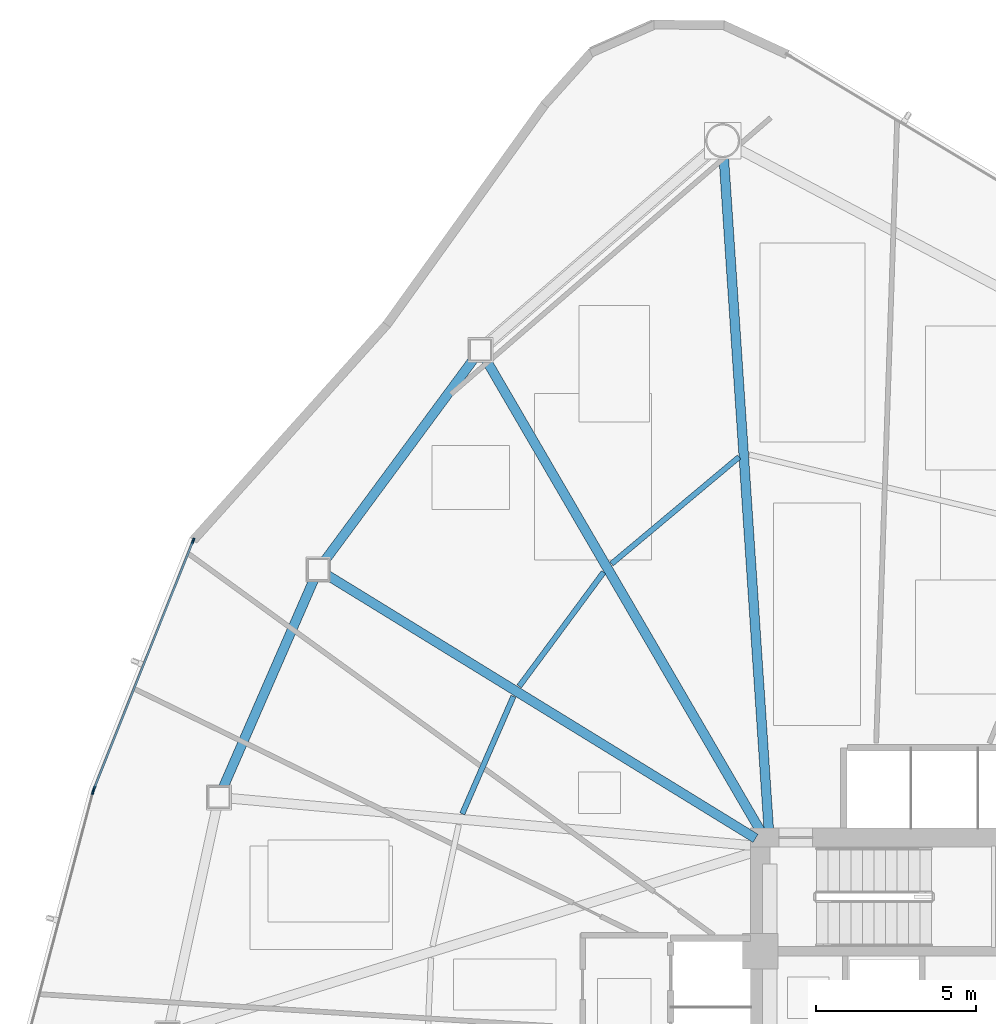
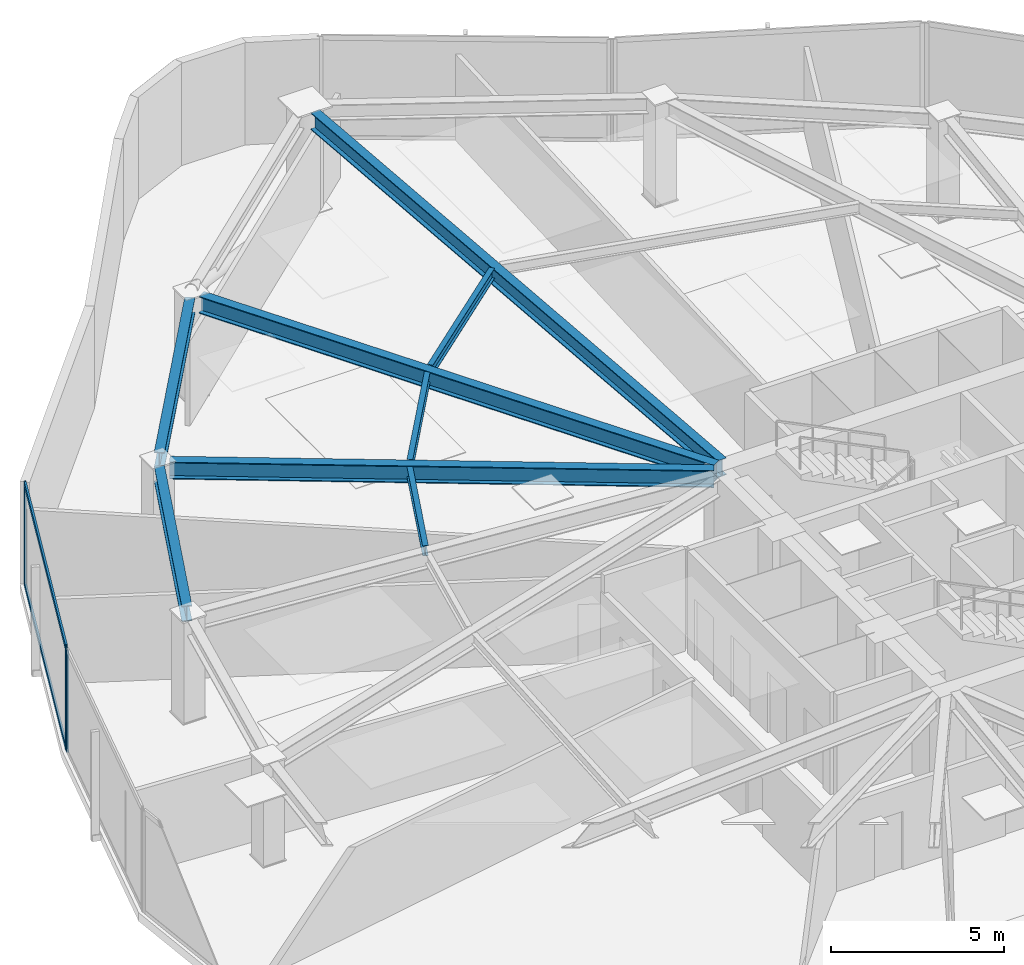
# One storey, part 7 of 17: 8 beams, 5 members, 2 elements without a shape of their own.
"""IFC4 building model written with IfcOpenShell, lengths in metres."""

from ifc_helpers import new_model, si_unit, direction, frame, origin, origin_2d, place, context, subcontext, project, spatial, hollow_rectangle, i_section, extrude, source, transform, mapped, material, layer, layer_set, material_profile, profile_set, type_object, type_shapes, element, aggregate, save


model = new_model("IFC4")

# Units and contexts
model_context = context("Model", 3, precision=1e-05, world=origin(), true_north=direction((0.0, 1.0)))
body_context = subcontext(model_context, "Body", "Model", "MODEL_VIEW")
ifc_project = project(units=[si_unit("LENGTHUNIT", "METRE"), si_unit("AREAUNIT", "SQUARE_METRE"), si_unit("VOLUMEUNIT", "CUBIC_METRE"), si_unit("PLANEANGLEUNIT", "RADIAN"), si_unit("MASSUNIT", "GRAM", prefix="KILO")], contexts=[model_context])

# Site, building, storey
site_placement = place(None, origin())
site = spatial("IfcSite", under=ifc_project, at=site_placement, CompositionType="ELEMENT")
building_placement = place(site_placement, origin())
building = spatial("IfcBuilding", under=site, at=building_placement, Name="Tavelor Broadcast Tower", CompositionType="ELEMENT")
storey_placement = place(building_placement, frame((0.0, 0.0, 74.39990234375)))
storey = spatial("IfcBuildingStorey", under=building, at=storey_placement, Name="L17", CompositionType="ELEMENT", Elevation=74.39990234375)

# Beams
ifc_material_1 = material(Name="Steel S355", Category="steel")
ifc_material_profile_1 = material_profile(ifc_material_1, i_section(OverallWidth=0.169921875, OverallDepth=0.360107421875, WebThickness=0.008056640625, FlangeThickness=0.0126953125, at=origin_2d()), Name="IPE 360")
ifc_profile_set_1 = profile_set([ifc_material_profile_1], Name="Steel S355")
beam_type_1 = type_object("IfcBeamType", Name="Composite Floor Joist T2 IPE 360", PredefinedType="JOIST", material=ifc_profile_set_1)
beam_1_placement = place(storey_placement, frame((42.437744140625, 63.38671875, 3.420166015625), z_axis=(-0.766764124222, -0.641928950746, 0.0), x_axis=(0.641928950746, -0.766764124222, 0.0)))
element("IfcBeam", 1, at=beam_1_placement, inside=storey, type_object=beam_type_1, Name="L17 Secondary Composite Floor Joist 01", PredefinedType="JOIST", context=body_context, shape_type="SweptSolid", body=[
    extrude(i_section(OverallWidth=0.169921875, OverallDepth=0.360107421875, WebThickness=0.008056640625, FlangeThickness=0.0126953125, at=origin_2d()), origin(), (0.0, 0.0, 1.0), 5.1982421875),
])
beam_2_placement = place(storey_placement, frame((38.20556640625, 59.7880859375, 3.420166015625), z_axis=(-0.594699209794, -0.803948288057, 0.0), x_axis=(0.803948288057, -0.594699209794, 0.0)))
element("IfcBeam", 2, at=beam_2_placement, inside=storey, type_object=beam_type_1, Name="L17 Secondary Composite Floor Joist 02", PredefinedType="JOIST", context=body_context, shape_type="SweptSolid", body=[
    extrude(i_section(OverallWidth=0.169921875, OverallDepth=0.360107421875, WebThickness=0.008056640625, FlangeThickness=0.0126953125, at=origin_2d()), origin(), (0.0, 0.0, 1.0), 4.432373046875),
])
beam_3_placement = place(storey_placement, frame((35.3896484375, 55.9130859375, 3.420166015625), z_axis=(-0.399446150725, -0.916756659464, 0.0), x_axis=(0.916756659464, -0.399446150725, 0.0)))
element("IfcBeam", 3, at=beam_3_placement, inside=storey, type_object=beam_type_1, Name="L17 Secondary Composite Floor Joist 03", PredefinedType="JOIST", context=body_context, shape_type="SweptSolid", body=[
    extrude(i_section(OverallWidth=0.169921875, OverallDepth=0.360107421875, WebThickness=0.008056640625, FlangeThickness=0.0126953125, at=origin_2d()), origin(), (0.0, 0.0, 1.0), 4.00390625),
])
ifc_material_profile_2 = material_profile(ifc_material_1, i_section(OverallWidth=0.300048828125, OverallDepth=0.550048828125, WebThickness=0.014892578125, FlangeThickness=0.029052734375, at=origin_2d()), Name="HEB 550")
ifc_profile_set_2 = profile_set([ifc_material_profile_2], Name="Steel S355")
beam_type_2 = type_object("IfcBeamType", Name="Perimeter Spandrel Beam T2 HEB 550", PredefinedType="SPANDREL", material=ifc_profile_set_2)
beam_4_placement = place(storey_placement, frame((34.156494140625, 66.45751953125, 3.3251953125), z_axis=(-0.59411824878, -0.804377713805, 0.0), x_axis=(0.804377713805, -0.59411824878, 0.0)))
element("IfcBeam", 4, at=beam_4_placement, inside=storey, type_object=beam_type_2, Name="L17 Framed-Tube Ring Spandrel 02", PredefinedType="SPANDREL", context=body_context, shape_type="SweptSolid", body=[
    extrude(i_section(OverallWidth=0.300048828125, OverallDepth=0.550048828125, WebThickness=0.014892578125, FlangeThickness=0.029052734375, at=origin_2d()), origin(), (0.0, 0.0, 1.0), 7.8515625),
])
beam_5_placement = place(storey_placement, frame((29.157958984375, 59.5634765625, 3.3251953125), z_axis=(-0.399859236649, -0.916576560287, 0.0), x_axis=(0.916576560287, -0.399859236649, 0.0)))
element("IfcBeam", 5, at=beam_5_placement, inside=storey, type_object=beam_type_2, Name="L17 Framed-Tube Ring Spandrel 03", PredefinedType="SPANDREL", context=body_context, shape_type="SweptSolid", body=[
    extrude(i_section(OverallWidth=0.300048828125, OverallDepth=0.550048828125, WebThickness=0.014892578125, FlangeThickness=0.029052734375, at=origin_2d()), origin(), (0.0, 0.0, 1.0), 7.088623046875),
])
ifc_material_profile_3 = material_profile(ifc_material_1, i_section(OverallWidth=0.300048828125, OverallDepth=0.60009765625, WebThickness=0.015380859375, FlangeThickness=0.030029296875, at=origin_2d()), Name="HEB 600")
ifc_profile_set_3 = profile_set([ifc_material_profile_3], Name="Steel S355")
beam_type_3 = type_object("IfcBeamType", Name="Radial Floor Girder T2 HEB 600", PredefinedType="BEAM", material=ifc_profile_set_3)
beam_6_placement = place(storey_placement, frame((43.36474609375, 51.726806640625, 3.300048828125), z_axis=(-0.066782727419, 0.997767541724, 0.0), x_axis=(-0.997767541724, -0.066782727419, 0.0)))
element("IfcBeam", 6, at=beam_6_placement, inside=storey, type_object=beam_type_3, Name="L17 Radial Primary Floor Girder 01", PredefinedType="BEAM", context=body_context, shape_type="SweptSolid", body=[
    extrude(i_section(OverallWidth=0.300048828125, OverallDepth=0.60009765625, WebThickness=0.015380859375, FlangeThickness=0.030029296875, at=origin_2d()), origin(), (0.0, 0.0, 1.0), 21.075439453125),
])
beam_7_placement = place(storey_placement, frame((43.13427734375, 51.65625, 3.300048828125), z_axis=(-0.503292320279, 0.864116219237, 0.0), x_axis=(-0.864116219237, -0.503292320279, 0.0)))
element("IfcBeam", 7, at=beam_7_placement, inside=storey, type_object=beam_type_3, Name="L17 Radial Primary Floor Girder 02", PredefinedType="BEAM", context=body_context, shape_type="SweptSolid", body=[
    extrude(i_section(OverallWidth=0.300048828125, OverallDepth=0.60009765625, WebThickness=0.015380859375, FlangeThickness=0.030029296875, at=origin_2d()), origin(), (0.0, 0.0, 1.0), 17.105712890625),
])
beam_8_placement = place(storey_placement, frame((42.9501953125, 51.4765625, 3.300048828125), z_axis=(-0.851937509834, 0.523643465859, 0.0), x_axis=(-0.523643465859, -0.851937509834, 0.0)))
element("IfcBeam", 8, at=beam_8_placement, inside=storey, type_object=beam_type_3, Name="L17 Radial Primary Floor Girder 03", PredefinedType="BEAM", context=body_context, shape_type="SweptSolid", body=[
    extrude(i_section(OverallWidth=0.300048828125, OverallDepth=0.60009765625, WebThickness=0.015380859375, FlangeThickness=0.030029296875, at=origin_2d()), origin(), (0.0, 0.0, 1.0), 15.69580078125),
])

# Curtain wall, members
ifc_material_2 = material(Name="Architectural Anodized Aluminium", Category="aluminium")
ifc_layer = layer(ifc_material_2, 0.179931640625)
ifc_layer_set = layer_set([ifc_layer], Name="Architectural Anodized Aluminium")
curtain_wall_type = type_object("IfcCurtainWallType", Name="Tower Low-Zone Unitised Curtain Wall CW02", PredefinedType="NOTDEFINED", material=ifc_layer_set)
curtain_wall_1_placement = place(storey_placement, origin())
curtain_wall_1 = element("IfcCurtainWall", 9, at=curtain_wall_1_placement, inside=storey, type_object=curtain_wall_type, Name="L17 Curtain Wall CW02 Run 157", PredefinedType="NOTDEFINED")
ifc_material_profile_4 = material_profile(ifc_material_2, hollow_rectangle(XDim=0.06494140625, YDim=0.179931640625, WallThickness=0.02197265625, at=origin_2d()), Name="RHS 65x180x22")
ifc_profile_set_4 = profile_set([ifc_material_profile_4], Name="Architectural Anodized Aluminium")
member_type_1 = type_object("IfcMemberType", Name="CW02 Extruded Aluminium Mullion 65x180", PredefinedType="MULLION", material=ifc_profile_set_4)
shared_shape_1 = source(origin(), body_context, "Body", "SweptSolid", [
    extrude(hollow_rectangle(XDim=0.06494140625, YDim=0.179931640625, WallThickness=0.02197265625, at=origin_2d()), origin(), (0.0, 0.0, 1.0), 3.60009765625),
])
type_shapes(member_type_1, [shared_shape_1])
member_1_placement = place(storey_placement, frame((25.38232421875, 60.76416015625, 0.0), z_axis=(0.0, 0.0, 1.0), x_axis=(0.928648996932, -0.370959621114, 0.0)))
member_1 = element("IfcMember", 10, at=member_1_placement, type_object=member_type_1, Name="CW02 mullion 1", PredefinedType="MULLION", context=body_context, shape_type="MappedRepresentation", body=[
    mapped(shared_shape_1, transform((0.0, 0.0, 0.0), scale=1.0)),
])
member_2_placement = place(storey_placement, frame((22.2900390625, 53.0234375, 0.0), z_axis=(0.0, 0.0, 1.0), x_axis=(0.928648996932, -0.370959621114, 0.0)))
member_2 = element("IfcMember", 11, at=member_2_placement, type_object=member_type_1, Name="CW02 mullion 2", PredefinedType="MULLION", context=body_context, shape_type="MappedRepresentation", body=[
    mapped(shared_shape_1, transform((0.0, 0.0, 0.0), scale=1.0)),
])

# Curtain wall, member
curtain_wall_2_placement = place(storey_placement, origin())
curtain_wall_2 = element("IfcCurtainWall", 12, at=curtain_wall_2_placement, inside=storey, type_object=curtain_wall_type, Name="L17 Curtain Wall CW02 Run 158", PredefinedType="NOTDEFINED")
member_3_placement = place(storey_placement, frame((22.260498046875, 52.93359375, 0.0), z_axis=(0.0, 0.0, 1.0), x_axis=(0.966709913086, -0.255874859924, 0.0)))
member_3 = element("IfcMember", 13, at=member_3_placement, type_object=member_type_1, Name="CW02 mullion 1", PredefinedType="MULLION", context=body_context, shape_type="MappedRepresentation", body=[
    mapped(shared_shape_1, transform((0.0, 0.0, 0.0), scale=1.0)),
])
aggregate(curtain_wall_2, [member_3])

# Member
ifc_material_profile_5 = material_profile(ifc_material_2, hollow_rectangle(XDim=0.06494140625, YDim=0.179931640625, WallThickness=0.02197265625, at=origin_2d()), Name="RHS 65x180x22")
ifc_profile_set_5 = profile_set([ifc_material_profile_5], Name="Architectural Anodized Aluminium")
member_type_2 = type_object("IfcMemberType", Name="CW02 Extruded Aluminium Transom 65x180", PredefinedType="USERDEFINED", material=ifc_profile_set_5)
shared_shape_2 = source(origin(), body_context, "Body", "SweptSolid", [
    extrude(hollow_rectangle(XDim=0.06494140625, YDim=0.179931640625, WallThickness=0.02197265625, at=origin_2d()), origin(), (0.0, 0.0, 1.0), 8.270263671875),
])
type_shapes(member_type_2, [shared_shape_2])
member_4_placement = place(storey_placement, frame((25.3701171875, 60.73388671875, 0.03271484375), z_axis=(-0.370952919311, -0.928651674017, 0.0), x_axis=(0.928651674017, -0.370952919311, 0.0)))
member_4 = element("IfcMember", 14, at=member_4_placement, type_object=member_type_2, Name="CW02 transom 1.1", ObjectType="TRANSOM", PredefinedType="USERDEFINED", context=body_context, shape_type="MappedRepresentation", body=[
    mapped(shared_shape_2, transform((0.0, 0.0, 0.0), scale=1.0)),
])

member_5_placement = place(storey_placement, frame((25.3701171875, 60.73388671875, 3.567626953125), z_axis=(-0.370952919311, -0.928651674017, 0.0), x_axis=(0.928651674017, -0.370952919311, 0.0)))
member_5 = element("IfcMember", 15, at=member_5_placement, type_object=member_type_2, Name="CW02 transom 1.2", ObjectType="TRANSOM", PredefinedType="USERDEFINED", context=body_context, shape_type="MappedRepresentation", body=[
    mapped(shared_shape_2, transform((0.0, 0.0, 0.0), scale=1.0)),
])

aggregate(curtain_wall_1, [member_1, member_2, member_4, member_5])

save(model, "model.ifc")
